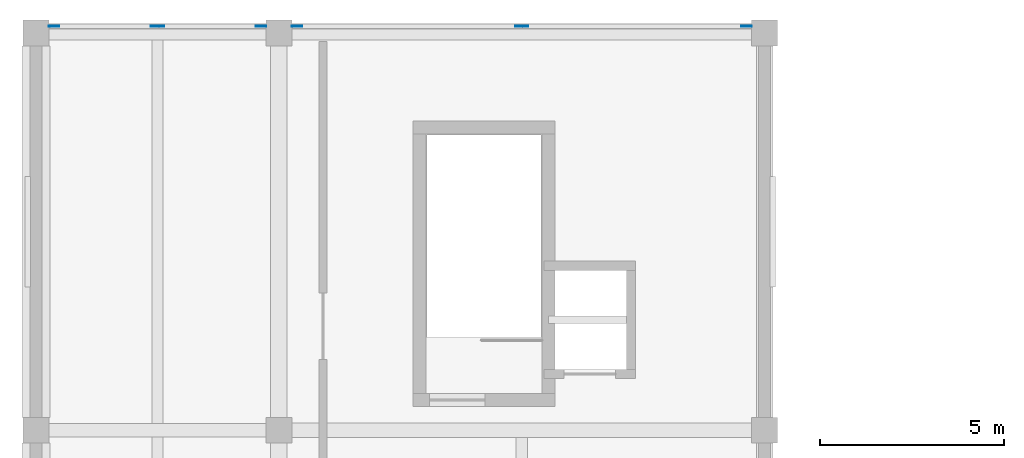
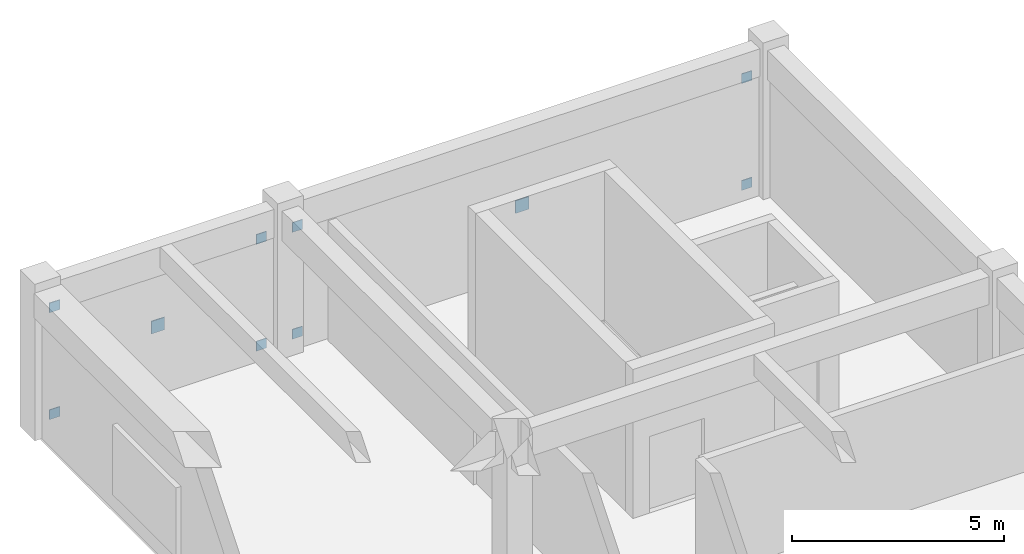
# One storey, part 13 of 18: 10 plates.
"""IFC4 building model written with IfcOpenShell, lengths in metres."""

from ifc_helpers import new_model, si_unit, direction, frame, origin, origin_2d, place, context, subcontext, project, spatial, rectangle, extrude, material, layer, layer_set, type_object, element, save


model = new_model("IFC4")

# Units and contexts
model_context = context("Model", 3, precision=1e-05, world=origin(), true_north=direction((0.0, 1.0)))
body_context = subcontext(model_context, "Body", "Model", "MODEL_VIEW")
ifc_project = project(units=[si_unit("LENGTHUNIT", "METRE"), si_unit("AREAUNIT", "SQUARE_METRE"), si_unit("VOLUMEUNIT", "CUBIC_METRE"), si_unit("PLANEANGLEUNIT", "RADIAN"), si_unit("MASSUNIT", "GRAM", prefix="KILO")], contexts=[model_context])

# Site, building, storey
site_placement = place(None, origin())
site = spatial("IfcSite", under=ifc_project, at=site_placement, CompositionType="ELEMENT")
building_placement = place(site_placement, origin())
building = spatial("IfcBuilding", under=site, at=building_placement, Name="Miralva Faculty of Natural Sciences", CompositionType="ELEMENT")
storey_placement = place(building_placement, frame((0.0, 0.0, 28.5)))
storey = spatial("IfcBuildingStorey", under=building, at=storey_placement, Name="L06", CompositionType="ELEMENT", Elevation=28.5)

# Plates
ifc_material = material(Name="Steel S355", Category="steel")
ifc_layer = layer(ifc_material, 0.02490234375, Name="PLT-BP02")
ifc_layer_set = layer_set([ifc_layer], Name="Steel S355")
plate_type = type_object("IfcPlateType", Name="PLT-BP02", PredefinedType="SHEET", material=ifc_layer_set)
plate_1_placement = place(storey_placement, frame((6.300048828125, 76.3798828125, 1.544921875), z_axis=(0.0, 0.0, 1.0), x_axis=(1.0, 0.0, 0.0)))
element("IfcPlate", 1, at=plate_1_placement, inside=storey, type_object=plate_type, Name="Plant X-brace central crossing gusset plate 2", PredefinedType="SHEET", context=body_context, shape_type="SweptSolid", body=[
    extrude(rectangle(XDim=0.360107421875, YDim=0.02490234375, at=origin_2d()), origin(), (0.0, 0.0, 1.0), 0.360107421875),
])
for number, where, z_axis, x_axis, name in (
    (2, (3.489990234375, 76.3798828125, 0.0498046875), (0.0, 0.0, 1.0), (1.0, 0.0, 0.0), "Plant brace end gusset plate 2-BL"),
    (3, (9.110107421875, 76.3798828125, 0.0498046875), (0.0, 0.0, 1.0), (1.0, 0.0, 0.0), "Plant brace end gusset plate 2-BR"),
    (4, (3.489990234375, 76.3798828125, 3.1201171875), (0.0, 0.0, 1.0), (1.0, 0.0, 0.0), "Plant brace end gusset plate 2-TL"),
    (5, (9.110107421875, 76.3798828125, 3.1201171875), (0.0, 0.0, 1.0), (1.0, 0.0, 0.0), "Plant brace end gusset plate 2-TR"),
):
    element("IfcPlate", number, at=place(storey_placement, frame(where, z_axis=z_axis, x_axis=x_axis)), inside=storey, type_object=plate_type, Name=name, PredefinedType="SHEET", context=body_context, shape_type="SweptSolid", body=[
        extrude(rectangle(XDim=0.280029296875, YDim=0.02001953125, at=origin_2d()), origin(), (0.0, 0.0, 1.0), 0.280029296875),
    ])
plate_2_placement = place(storey_placement, frame((16.199951171875, 76.3798828125, 1.544921875), z_axis=(0.0, 0.0, 1.0), x_axis=(1.0, 0.0, 0.0)))
element("IfcPlate", 6, at=plate_2_placement, inside=storey, type_object=plate_type, Name="Plant X-brace central crossing gusset plate 3", PredefinedType="SHEET", context=body_context, shape_type="SweptSolid", body=[
    extrude(rectangle(XDim=0.360107421875, YDim=0.02490234375, at=origin_2d()), origin(), (0.0, 0.0, 1.0), 0.360107421875),
])
for number, where, z_axis, x_axis, name in (
    (7, (10.090087890625, 76.3798828125, 0.0498046875), (0.0, 0.0, 1.0), (1.0, 0.0, 0.0), "Plant brace end gusset plate 3-BL"),
    (8, (22.31005859375, 76.3798828125, 0.0498046875), (0.0, 0.0, 1.0), (1.0, 0.0, 0.0), "Plant brace end gusset plate 3-BR"),
    (9, (10.090087890625, 76.3798828125, 3.1201171875), (0.0, 0.0, 1.0), (1.0, 0.0, 0.0), "Plant brace end gusset plate 3-TL"),
    (10, (22.31005859375, 76.3798828125, 3.1201171875), (0.0, 0.0, 1.0), (1.0, 0.0, 0.0), "Plant brace end gusset plate 3-TR"),
):
    element("IfcPlate", number, at=place(storey_placement, frame(where, z_axis=z_axis, x_axis=x_axis)), inside=storey, type_object=plate_type, Name=name, PredefinedType="SHEET", context=body_context, shape_type="SweptSolid", body=[
        extrude(rectangle(XDim=0.280029296875, YDim=0.02001953125, at=origin_2d()), origin(), (0.0, 0.0, 1.0), 0.280029296875),
    ])

save(model, "model.ifc")
